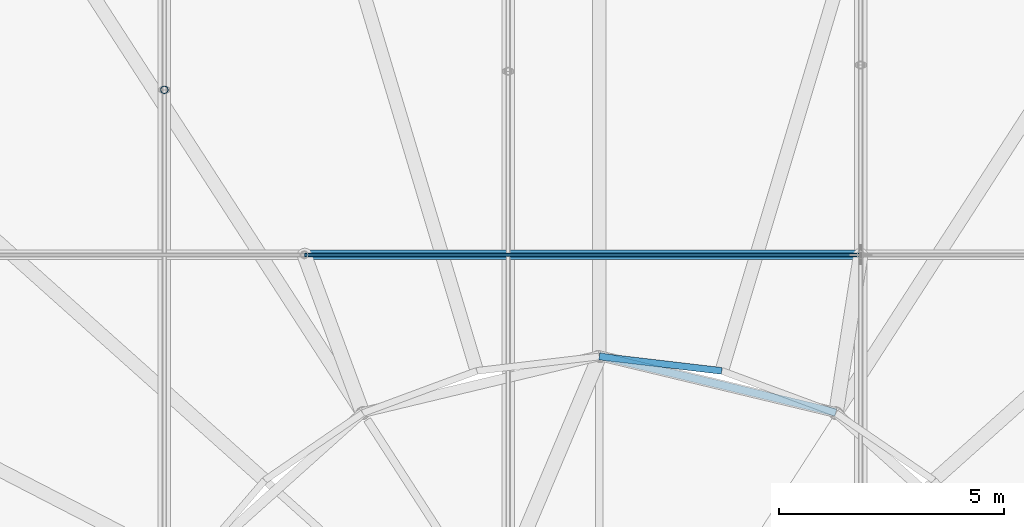
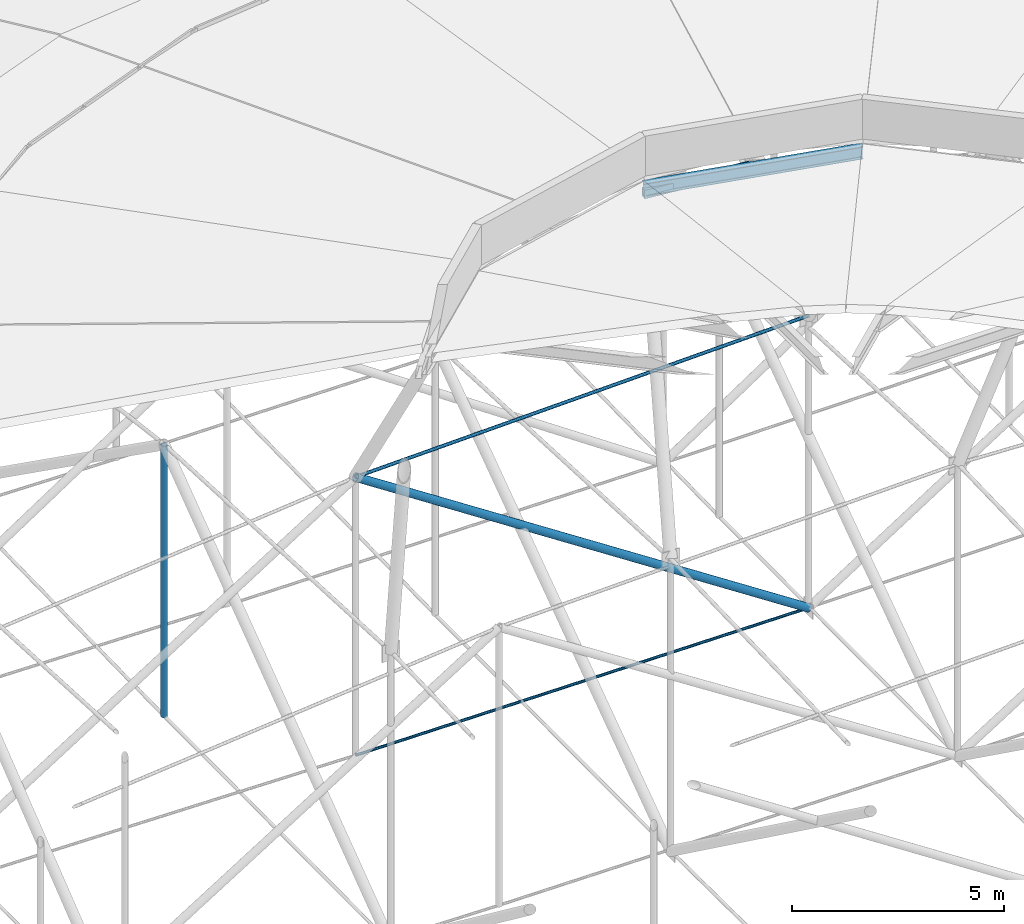
# One storey, part 64 of 173: 5 members, 1 beam.
"""IFC4 building model written with IfcOpenShell, lengths in metres."""

from ifc_helpers import new_model, si_unit, direction, frame, origin, origin_2d, place, context, subcontext, project, spatial, hollow_rectangle, circle, hollow_circle, i_section, extrude, material, material_profile, profile_set, type_object, element, save


model = new_model("IFC4")

# Units and contexts
model_context = context("Model", 3, precision=1e-05, world=origin(), true_north=direction((0.0, 1.0)))
body_context = subcontext(model_context, "Body", "Model", "MODEL_VIEW")
ifc_project = project(units=[si_unit("LENGTHUNIT", "METRE"), si_unit("AREAUNIT", "SQUARE_METRE"), si_unit("VOLUMEUNIT", "CUBIC_METRE"), si_unit("PLANEANGLEUNIT", "RADIAN"), si_unit("MASSUNIT", "GRAM", prefix="KILO")], contexts=[model_context])

# Site, building, storey
site_placement = place(None, origin())
site = spatial("IfcSite", under=ifc_project, at=site_placement, CompositionType="ELEMENT")
building_placement = place(site_placement, origin())
building = spatial("IfcBuilding", under=site, at=building_placement, Name="Glasvene Arena", CompositionType="ELEMENT")
storey_placement = place(building_placement, frame((0.0, 0.0, 28.800048828125)))
storey = spatial("IfcBuildingStorey", under=building, at=storey_placement, Name="RF", CompositionType="ELEMENT", Elevation=28.800048828125)

# Beam
ifc_material_1 = material(Name="Steel S355J2", Category="steel")
ifc_material_profile_1 = material_profile(ifc_material_1, i_section(OverallWidth=0.17138671875, OverallDepth=0.35498046875, WebThickness=0.00732421875, FlangeThickness=0.011474609375, FilletRadius=0.01025390625, at=origin_2d()), Name="UKB 356x171x51")
ifc_profile_set_1 = profile_set([ifc_material_profile_1], Name="Steel S355J2")
beam_type = type_object("IfcBeamType", Name="BM-JOIST-356", PredefinedType="JOIST", material=ifc_profile_set_1)
beam_placement = place(storey_placement, frame((91.449951171875, 76.54052734375, 13.079833984375), z_axis=(-0.972407411278, 0.233289147823, 0.0), x_axis=(-0.233289147823, -0.972407411278, 0.0)))
element("IfcBeam", 1, at=beam_placement, inside=storey, type_object=beam_type, Name="Crown lantern perimeter ring beam 03", PredefinedType="JOIST", context=body_context, shape_type="SweptSolid", body=[
    extrude(i_section(OverallWidth=0.17138671875, OverallDepth=0.35498046875, WebThickness=0.00732421875, FlangeThickness=0.011474609375, FilletRadius=0.01025390625, at=origin_2d()), origin(), (0.0, 0.0, 1.0), 5.39892578125),
])

# Members
ifc_material_2 = material(Name="High-strength steel spiral strand S460", Category="steel")
ifc_material_profile_2 = material_profile(ifc_material_2, circle(Radius=0.03759765625, at=origin_2d()), Name="LCSS D75")
ifc_profile_set_2 = profile_set([ifc_material_profile_2], Name="High-strength steel spiral strand S460")
member_type_1 = type_object("IfcMemberType", Name="MB-CABLE-75", PredefinedType="USERDEFINED", material=ifc_profile_set_2)
member_1_placement = place(storey_placement, frame((79.65380859375, 80.03955078125, -2.328125), z_axis=(0.999982985584, 0.0, -0.005833398868), x_axis=(0.0, 1.0, 0.0)))
element("IfcMember", 2, at=member_1_placement, inside=storey, type_object=member_type_1, Name="Lower stabilization roof cable EW05-04", ObjectType="ROOF CABLE", PredefinedType="USERDEFINED", context=body_context, shape_type="SweptSolid", body=[
    extrude(circle(Radius=0.03759765625, at=origin_2d()), origin(), (0.0, 0.0, 1.0), 12.346435546875),
])
ifc_material_profile_3 = material_profile(ifc_material_2, circle(Radius=0.044921875, at=origin_2d()), Name="LCSS D90")
ifc_profile_set_3 = profile_set([ifc_material_profile_3], Name="High-strength steel spiral strand S460")
member_type_2 = type_object("IfcMemberType", Name="MB-CABLE-90", PredefinedType="USERDEFINED", material=ifc_profile_set_3)
member_2_placement = place(storey_placement, frame((79.65380859375, 80.03955078125, 5.6904296875), z_axis=(0.999643860961, 0.0, 0.026686161999), x_axis=(0.0, 1.0, 0.0)))
element("IfcMember", 3, at=member_2_placement, inside=storey, type_object=member_type_2, Name="Upper lens roof cable EW05-04", ObjectType="ROOF CABLE", PredefinedType="USERDEFINED", context=body_context, shape_type="SweptSolid", body=[
    extrude(circle(Radius=0.044921875, at=origin_2d()), origin(), (0.0, 0.0, 1.0), 12.3505859375),
])
ifc_material_profile_4 = material_profile(ifc_material_1, hollow_rectangle(XDim=0.14990234375, YDim=0.25, WallThickness=0.010009765625, at=origin_2d()), Name="RHS 250x150x10.0")
ifc_profile_set_4 = profile_set([ifc_material_profile_4], Name="Steel S355J2")
member_type_3 = type_object("IfcMemberType", Name="MB-PURLIN-RHS250", PredefinedType="PURLIN", material=ifc_profile_set_4)
member_3_placement = place(storey_placement, frame((88.91748046875, 77.46337890625, 12.951904296875), z_axis=(-0.993156084589, 0.116794655891, 0.0), x_axis=(-0.116794655891, -0.993156084589, 0.0)))
element("IfcMember", 4, at=member_3_placement, inside=storey, type_object=member_type_3, Name="Petal ring 5 ridge purlin 06", PredefinedType="PURLIN", context=body_context, shape_type="SweptSolid", body=[
    extrude(hollow_rectangle(XDim=0.14990234375, YDim=0.25, WallThickness=0.010009765625, at=origin_2d()), origin(), (0.0, 0.0, 1.0), 2.736328125),
])
ifc_material_profile_5 = material_profile(ifc_material_1, hollow_circle(Radius=0.084228515625, WallThickness=0.008056640625, at=origin_2d()), Name="CHS 168.3x8.0")
ifc_profile_set_5 = profile_set([ifc_material_profile_5], Name="Steel S355J2")
member_type_4 = type_object("IfcMemberType", Name="MB-WEB-CHS168", PredefinedType="BRACE", material=ifc_profile_set_5)
member_4_placement = place(storey_placement, frame((76.54931640625, 83.699462890625, -2.328125), z_axis=(0.0, 0.0, 1.0), x_axis=(1.0, 0.0, 0.0)))
element("IfcMember", 5, at=member_4_placement, inside=storey, type_object=member_type_4, Name="Cable-truss vertical strut NS07-05", PredefinedType="BRACE", context=body_context, shape_type="SweptSolid", body=[
    extrude(hollow_circle(Radius=0.084228515625, WallThickness=0.008056640625, at=origin_2d()), origin(), (0.0, 0.0, 1.0), 7.827392578125),
])
ifc_material_profile_6 = material_profile(ifc_material_1, hollow_circle(Radius=0.109619140625, WallThickness=0.010009765625, at=origin_2d()), Name="CHS 219.1x10.0")
ifc_profile_set_6 = profile_set([ifc_material_profile_6], Name="Steel S355J2")
member_type_5 = type_object("IfcMemberType", Name="MB-WEB-CHS219", PredefinedType="BRACE", material=ifc_profile_set_6)
member_5_placement = place(storey_placement, frame((79.65380859375, 80.03955078125, 5.6904296875), z_axis=(0.836408575977, 0.0, -0.548106462316), x_axis=(0.0, 1.0, 0.0)))
element("IfcMember", 6, at=member_5_placement, inside=storey, type_object=member_type_5, Name="Cable-truss diagonal web strut EW05-04", PredefinedType="BRACE", context=body_context, shape_type="SweptSolid", body=[
    extrude(hollow_circle(Radius=0.109619140625, WallThickness=0.010009765625, at=origin_2d()), origin(), (0.0, 0.0, 1.0), 14.760986328125),
])

save(model, "model.ifc")
